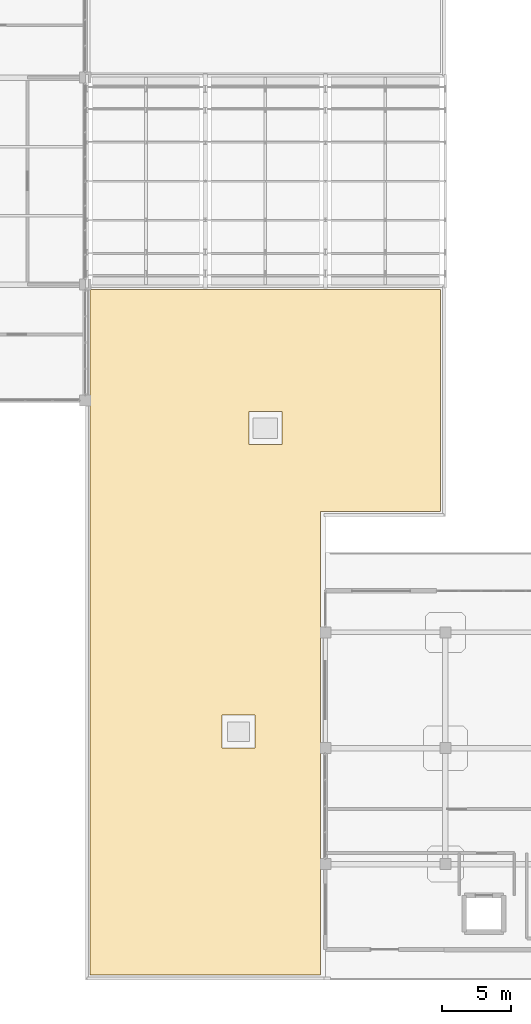
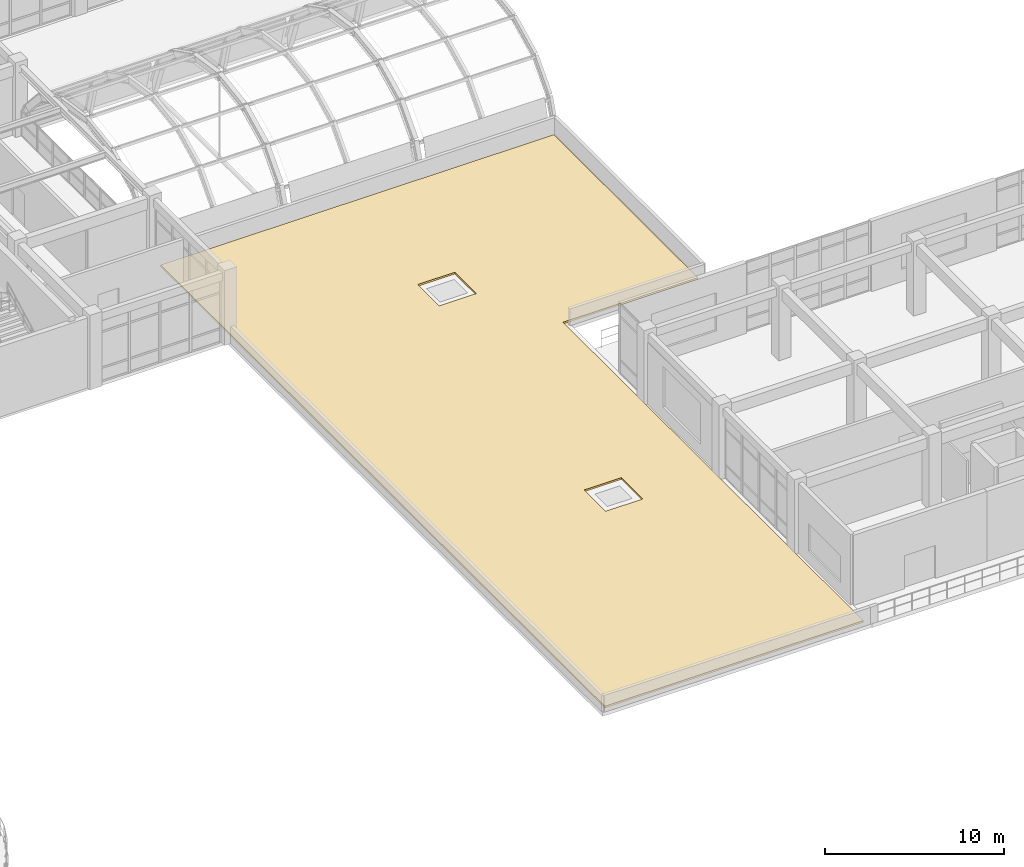
# One storey, part 116 of 124: 1 covering.
"""IFC4 building model written with IfcOpenShell, lengths in metres."""

from ifc_helpers import new_model, si_unit, derived_unit, direction, frame, origin, place, context, subcontext, project, spatial, polyline, outline, extrude, material, layer, layer_set, type_object, element, save


model = new_model("IFC4")

# Units and contexts
model_context = context("Model", 3, precision=1e-05, world=origin(), true_north=direction((0.0, 1.0)))
body_context = subcontext(model_context, "Body", "Model", "MODEL_VIEW")
ifc_project = project(units=[si_unit("LENGTHUNIT", "METRE"), si_unit("AREAUNIT", "SQUARE_METRE"), si_unit("VOLUMEUNIT", "CUBIC_METRE"), si_unit("PLANEANGLEUNIT", "RADIAN"), si_unit("MASSUNIT", "GRAM", prefix="KILO"), derived_unit("THERMALTRANSMITTANCEUNIT", [(si_unit("MASSUNIT", "GRAM", prefix="KILO"), 1), (si_unit("TIMEUNIT", "SECOND"), -3), (si_unit("THERMODYNAMICTEMPERATUREUNIT", "KELVIN"), -1)])], contexts=[model_context])

# Site, building, storey
site_placement = place(None, origin())
site = spatial("IfcSite", under=ifc_project, at=site_placement, CompositionType="ELEMENT")
building_placement = place(site_placement, origin())
building = spatial("IfcBuilding", under=site, at=building_placement, Name="Qinzheling Arcade Emporium", CompositionType="ELEMENT")
storey_placement = place(building_placement, frame((0.0, 0.0, 16.5)))
storey = spatial("IfcBuildingStorey", under=building, at=storey_placement, Name="L04", CompositionType="ELEMENT", Elevation=16.5)

# Covering
ifc_material = material(Name="TPO waterproof membrane over rigid polyisocyanurate insulation")
ifc_layer = layer(ifc_material, 0.1201171875, Name="TPO waterproof membrane over rigid polyisocyanurate insulation")
ifc_layer_set = layer_set([ifc_layer], Name="TPO waterproof membrane over rigid polyisocyanurate insulation")
covering_type = type_object("IfcCoveringType", Name="TPO Waterproof Insulated Roof Membrane 120", PredefinedType="ROOFING", material=ifc_layer_set)
covering_placement = place(storey_placement, origin())
element("IfcCovering", 1, at=covering_placement, inside=storey, type_object=covering_type, Name="Roof Membrane L04 3", PredefinedType="ROOFING", context=body_context, shape_type="SweptSolid", body=[
    extrude(outline(polyline([(104.75, 0.35009765625), (104.75, 50.050048828125), (130.14990234375, 50.050048828125), (130.14990234375, 33.949951171875), (121.449951171875, 33.949951171875), (121.449951171875, 0.35009765625), (104.75, 0.35009765625)]), holes=[polyline([(118.64990234375, 41.199951171875), (116.25, 41.199951171875), (116.25, 38.800048828125), (118.64990234375, 38.800048828125), (118.64990234375, 41.199951171875)]), polyline([(114.300048828125, 19.199951171875), (114.300048828125, 16.800048828125), (116.699951171875, 16.800048828125), (116.699951171875, 19.199951171875), (114.300048828125, 19.199951171875)])]), origin(), (0.0, 0.0, 1.0), 0.1201171875),
])

save(model, "model.ifc")
